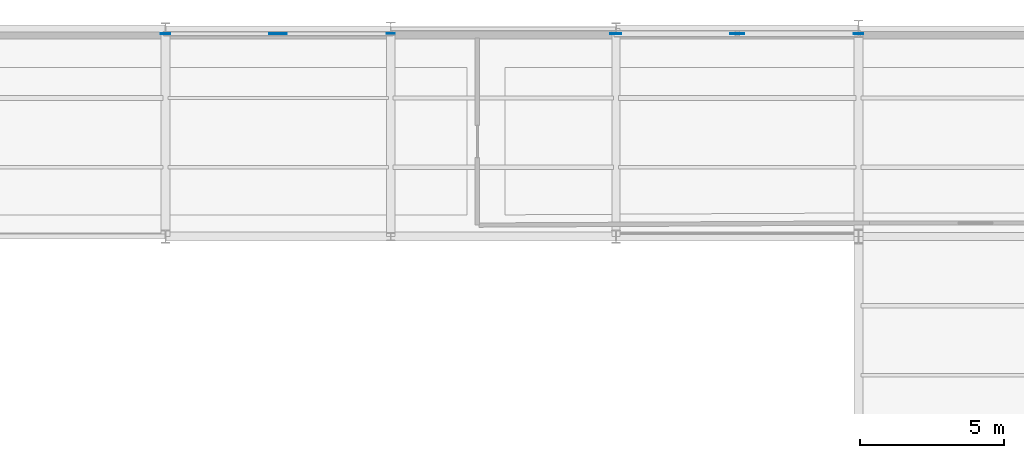
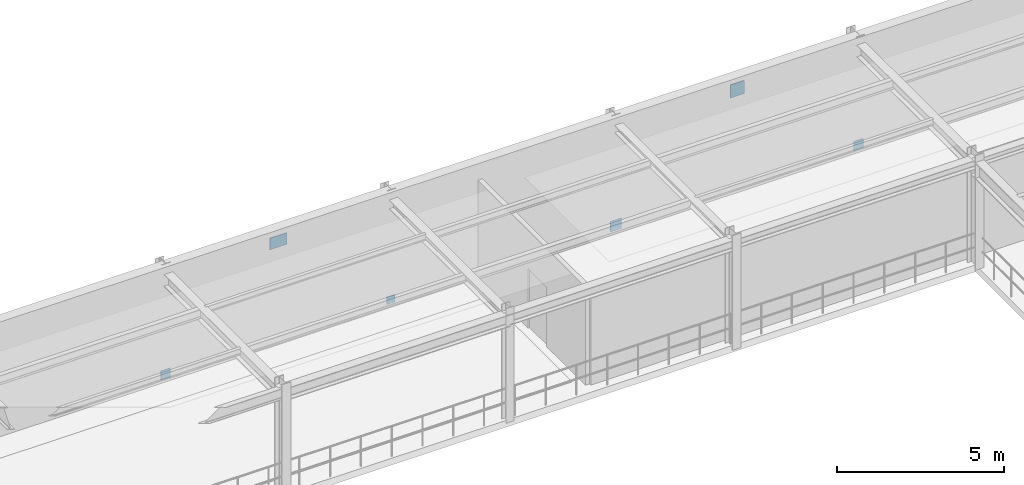
# One storey, part 69 of 90: 6 plates.
"""IFC4 building model written with IfcOpenShell, lengths in metres."""

import ifcopenshell
import ifcopenshell.guid

model = None  # the IFC model being written
_history = None  # IfcOwnerHistory: only IFC2X3 demands one
_inside = {}  # id of a spatial element -> (the spatial element, [elements in it])
_under = {}  # id of a project, library or spatial element -> (it, [spatial elements below it])
_declared = {}  # id of a project -> (the project, [libraries it declares])
_typed = {}  # id of a type object -> (the type object, [elements of that type])
_made_of = {}  # id of a material, layer set ... -> (it, [elements and type objects made of it])


def new_model(schema):
    """Start an empty IFC model of exactly this schema.

    Asked for "IFC4X3", IfcOpenShell would pick the latest addendum, in which some entities
    have other attributes; the version numbers below select the first issue.
    IFC2X3 requires an IfcOwnerHistory on every rooted entity: one is made here for all.
    """
    global model, _history
    if schema == "IFC4X3":
        model = ifcopenshell.file(schema_version=(4, 3, 0, 0))
    else:
        model = ifcopenshell.file(schema=schema)
    _inside.clear()
    _under.clear()
    _declared.clear()
    _typed.clear()
    _made_of.clear()
    _history = None
    if model.schema == "IFC2X3":
        org = make("IfcOrganization", Name="unknown")
        user = make(
            "IfcPersonAndOrganization",
            ThePerson=make("IfcPerson", FamilyName="unknown"),
            TheOrganization=org,
        )
        app = make(
            "IfcApplication",
            ApplicationDeveloper=org,
            Version="unknown",
            ApplicationFullName="unknown",
            ApplicationIdentifier="unknown",
        )
        _history = make(
            "IfcOwnerHistory",
            OwningUser=user,
            OwningApplication=app,
            ChangeAction="ADDED",
            CreationDate=0,
        )
    return model


def make(cls, **values):
    """One entity of the class cls with the attributes given. An attribute that is None is left unset."""
    return model.create_entity(
        cls, **{name: value for name, value in values.items() if value is not None}
    )


def rooted(cls, **values):
    """An entity with a GlobalId (a new one), such as an element, a storey or a relation."""
    return make(cls, GlobalId=ifcopenshell.guid.new(), OwnerHistory=_history, **values)


def si_unit(unit_type, name, prefix=None):
    """IfcSIUnit, for example si_unit("LENGTHUNIT", "METRE", prefix="MILLI")."""
    return make("IfcSIUnit", UnitType=unit_type, Prefix=prefix, Name=name)


def derived_unit(unit_type, elements):
    """IfcDerivedUnit: a product of units, each with its exponent."""
    return make(
        "IfcDerivedUnit",
        Elements=[
            make("IfcDerivedUnitElement", Unit=unit, Exponent=power)
            for unit, power in elements
        ],
        UnitType=unit_type,
    )


def assignment(units):
    """IfcUnitAssignment: the units of a project."""
    return None if units is None else make("IfcUnitAssignment", Units=units)


def point(xyz):
    """IfcCartesianPoint."""
    return None if xyz is None else make("IfcCartesianPoint", Coordinates=xyz)


def direction(xyz):
    """IfcDirection."""
    return None if xyz is None else make("IfcDirection", DirectionRatios=xyz)


def frame(location, z_axis=None, x_axis=None):
    """IfcAxis2Placement3D, a coordinate frame: its origin and axes. An axis left out is left unset."""
    return make(
        "IfcAxis2Placement3D",
        Location=point(location),
        Axis=direction(z_axis),
        RefDirection=direction(x_axis),
    )


def frame_2d(location, x_axis=None):
    """IfcAxis2Placement2D, a coordinate frame in the plane: its origin and x axis."""
    return make(
        "IfcAxis2Placement2D", Location=point(location), RefDirection=direction(x_axis)
    )


def origin():
    """The frame at (0, 0, 0) with its axes left unset."""
    return frame((0.0, 0.0, 0.0))


def origin_2d():
    """The frame at (0, 0) in the plane with its x axis left unset."""
    return frame_2d((0.0, 0.0))


def place(relative_to, where):
    """IfcLocalPlacement: puts the frame where relative to a parent placement (None: the world)."""
    return make(
        "IfcLocalPlacement", PlacementRelTo=relative_to, RelativePlacement=where
    )


def context(
    kind, dimensions, precision=None, world=None, true_north=None, identifier=None
):
    """IfcGeometricRepresentationContext, for example the 3D "Model" context."""
    return make(
        "IfcGeometricRepresentationContext",
        ContextIdentifier=identifier,
        ContextType=kind,
        CoordinateSpaceDimension=dimensions,
        Precision=precision,
        WorldCoordinateSystem=world,
        TrueNorth=true_north,
    )


def subcontext(parent, identifier, kind, view, scale=None):
    """IfcGeometricRepresentationSubContext, for example "Body" below "Model"."""
    return make(
        "IfcGeometricRepresentationSubContext",
        ContextIdentifier=identifier,
        ContextType=kind,
        ParentContext=parent,
        TargetScale=scale,
        TargetView=view,
    )


def project(units=None, contexts=None):
    """IfcProject with its units and contexts."""
    return rooted(
        "IfcProject",
        Name="project",
        RepresentationContexts=contexts,
        UnitsInContext=assignment(units),
    )


def spatial(cls, under=None, at=None, **own):
    """A site, building, storey or space (cls), placed at a placement, below another one or the project."""
    s = rooted(cls, ObjectPlacement=at, **own)
    if under is not None:
        _under.setdefault(under.id(), (under, []))[1].append(s)
    return s


def profile(cls, at=None, kind="AREA", **sizes):
    """A parametric profile (cls). Its sizes go by their IFC names, for example OverallWidth=200.0."""
    return make(cls, ProfileType=kind, Position=at, **sizes)


def rectangle(**sizes):
    """IfcRectangleProfileDef."""
    return profile("IfcRectangleProfileDef", **sizes)


def extrude(swept, where, along, depth):
    """IfcExtrudedAreaSolid: the profile swept, set in the frame where, extruded along a direction by depth."""
    return make(
        "IfcExtrudedAreaSolid",
        SweptArea=swept,
        Position=where,
        ExtrudedDirection=direction(along),
        Depth=depth,
    )


def shape(context_of_items, identifier, shape_type, items):
    """IfcShapeRepresentation: the items that make up one representation, for example the "Body"."""
    return make(
        "IfcShapeRepresentation",
        ContextOfItems=context_of_items,
        RepresentationIdentifier=identifier,
        RepresentationType=shape_type,
        Items=items,
    )


def material(Name=None, Category=None):
    """IfcMaterial."""
    return make("IfcMaterial", Name=Name, Category=Category)


def layer(
    of_material, thickness, ventilated=None, Name=None, Category=None, Priority=None
):
    """IfcMaterialLayer: one layer of a wall or slab, of a material (None: an air gap)."""
    return make(
        "IfcMaterialLayer",
        Material=of_material,
        LayerThickness=thickness,
        IsVentilated=ventilated,
        Name=Name,
        Category=Category,
        Priority=Priority,
    )


def layer_set(layers, Name=None):
    """IfcMaterialLayerSet."""
    return make("IfcMaterialLayerSet", MaterialLayers=layers, LayerSetName=Name)


def made_of(thing, what):
    """Note that an element or type object is made of a material, layer set ...; save() writes the relation."""
    if what is not None:
        _made_of.setdefault(what.id(), (what, []))[1].append(thing)
    return thing


def type_object(cls, material=None, **own):
    """A type object (cls), such as IfcWallType, which elements share."""
    return made_of(rooted(cls, **own), material)


def element(
    cls,
    number,
    at=None,
    inside=None,
    cuts=None,
    type_object=None,
    material=None,
    context=None,
    identifier="Body",
    shape_type=None,
    held_by="IfcProductDefinitionShape",
    body=None,
    shapes=None,
    **own,
):
    """One element of the class cls, such as IfcWall. Its Tag is "e" and its number.

    at: its placement. inside: the storey or other place that contains it. cuts: it is an
    opening in that element (IfcRelVoidsElement). A single representation is given by context,
    identifier, shape_type and body (its items); several are given by shapes. held_by: the class
    of the entity that holds the representations. save() writes the other relations.
    """
    e = rooted(cls, Tag="e%d" % number, ObjectPlacement=at, **own)
    if body is not None:
        shapes = [shape(context, identifier, shape_type, body)]
    if shapes is not None:
        e.Representation = make(held_by, Representations=shapes)
    if inside is not None:
        _inside.setdefault(inside.id(), (inside, []))[1].append(e)
    if cuts is not None:
        rooted(
            "IfcRelVoidsElement", RelatingBuildingElement=cuts, RelatedOpeningElement=e
        )
    if type_object is not None:
        _typed.setdefault(type_object.id(), (type_object, []))[1].append(e)
    return made_of(e, material)


def aggregate(whole, parts):
    """IfcRelAggregates: a whole, such as a stair, and the parts it consists of."""
    return rooted("IfcRelAggregates", RelatingObject=whole, RelatedObjects=parts)


def save(model, path):
    """Write the relations noted so far, then the file.

    IfcRelAggregates (storeys below a building ...), IfcRelContainedInSpatialStructure (elements
    in a storey), IfcRelDefinesByType, IfcRelAssociatesMaterial and IfcRelDeclares: one each for
    every whole, place, type object, material and project.
    """
    for whole, parts in _under.values():
        aggregate(whole, parts)
    for where, things in _inside.values():
        rooted(
            "IfcRelContainedInSpatialStructure",
            RelatedElements=things,
            RelatingStructure=where,
        )
    for kind, things in _typed.values():
        rooted("IfcRelDefinesByType", RelatedObjects=things, RelatingType=kind)
    for what, things in _made_of.values():
        rooted("IfcRelAssociatesMaterial", RelatedObjects=things, RelatingMaterial=what)
    for by, libraries in _declared.values():
        rooted("IfcRelDeclares", RelatingContext=by, RelatedDefinitions=libraries)
    model.write(path)


model = new_model("IFC4")

# Units and contexts
model_context = context("Model", 3, precision=1e-05, world=origin(), true_north=direction((0.0, 1.0)))
body_context = subcontext(model_context, "Body", "Model", "MODEL_VIEW")
ifc_project = project(units=[si_unit("LENGTHUNIT", "METRE"), si_unit("AREAUNIT", "SQUARE_METRE"), si_unit("VOLUMEUNIT", "CUBIC_METRE"), si_unit("PLANEANGLEUNIT", "RADIAN"), si_unit("MASSUNIT", "GRAM", prefix="KILO"), derived_unit("THERMALTRANSMITTANCEUNIT", [(si_unit("POWERUNIT", "WATT"), 1), (si_unit("AREAUNIT", "SQUARE_METRE"), -1), (si_unit("THERMODYNAMICTEMPERATUREUNIT", "KELVIN"), -1)])], contexts=[model_context])

# Site, building, storey
site_placement = place(None, origin())
site = spatial("IfcSite", under=ifc_project, at=site_placement, CompositionType="ELEMENT")
building_placement = place(site_placement, origin())
building = spatial("IfcBuilding", under=site, at=building_placement, Name="Yasenodar Specialist Clinic", CompositionType="ELEMENT")
storey_placement = place(building_placement, frame((0.0, 0.0, 9.0)))
storey = spatial("IfcBuildingStorey", under=building, at=storey_placement, Name="L02", CompositionType="ELEMENT", Elevation=9.0)

# Plates
ifc_material = material(Name="Steel S355", Category="steel")
ifc_layer_1 = layer(ifc_material, 0.02197265625)
ifc_layer_set_1 = layer_set([ifc_layer_1], Name="Steel S355")
plate_type_1 = type_object("IfcPlateType", Name="PL-STEEL-02", PredefinedType="SHEET", material=ifc_layer_set_1)
plate_1_placement = place(storey_placement, frame((96.60009765625, 111.425048828125, -0.0400390625), z_axis=(0.0, 0.0, 1.0), x_axis=(1.0, 0.0, 0.0)))
element("IfcPlate", 1, at=plate_1_placement, inside=storey, type_object=plate_type_1, Name="L02 Hollow Section End-Cap Plate 0037", PredefinedType="SHEET", context=body_context, shape_type="SweptSolid", body=[
    extrude(rectangle(XDim=0.3798828125, YDim=0.02197265625, at=origin_2d()), origin(), (0.0, 0.0, 1.0), 0.3798828125),
])
ifc_layer_2 = layer(ifc_material, 0.02001953125)
ifc_layer_set_2 = layer_set([ifc_layer_2], Name="Steel S355")
plate_type_2 = type_object("IfcPlateType", Name="PL-STEEL-03", PredefinedType="SHEET", material=ifc_layer_set_2)
for number, where, z_axis, x_axis, name in (
    (2, (81.0, 111.425048828125, -0.02001953125), (0.0, 0.0, 1.0), (1.0, 0.0, 0.0), "L02 Hollow Section End-Cap Plate 0016"),
    (3, (105.0, 111.425048828125, -0.02001953125), (0.0, 0.0, 1.0), (1.0, 0.0, 0.0), "L02 Hollow Section End-Cap Plate 0038"),
):
    element("IfcPlate", number, at=place(storey_placement, frame(where, z_axis=z_axis, x_axis=x_axis)), inside=storey, type_object=plate_type_2, Name=name, PredefinedType="SHEET", context=body_context, shape_type="SweptSolid", body=[
        extrude(rectangle(XDim=0.340087890625, YDim=0.02001953125, at=origin_2d()), origin(), (0.0, 0.0, 1.0), 0.340087890625),
    ])
ifc_layer_3 = layer(ifc_material, 0.01806640625)
ifc_layer_set_3 = layer_set([ifc_layer_3], Name="Steel S355")
plate_type_3 = type_object("IfcPlateType", Name="PL-STEEL-04", PredefinedType="SHEET", material=ifc_layer_set_3)
plate_2_placement = place(storey_placement, frame((88.800048828125, 111.425048828125, 0.009765625), z_axis=(0.0, 0.0, 1.0), x_axis=(1.0, 0.0, 0.0)))
element("IfcPlate", 4, at=plate_2_placement, inside=storey, type_object=plate_type_3, Name="L02 Hollow Section End-Cap Plate 0017", PredefinedType="SHEET", context=body_context, shape_type="SweptSolid", body=[
    extrude(rectangle(XDim=0.280029296875, YDim=0.01806640625, at=origin_2d()), origin(), (0.0, 0.0, 1.0), 0.280029296875),
])
ifc_layer_4 = layer(ifc_material, 0.028076171875)
ifc_layer_set_4 = layer_set([ifc_layer_4], Name="Steel S355")
plate_type_4 = type_object("IfcPlateType", Name="PL-STEEL-06", PredefinedType="USERDEFINED", material=ifc_layer_set_4)
plate_3_placement = place(storey_placement, frame((100.800048828125, 111.425048828125, 3.409912109375), z_axis=(0.0, 0.0, 1.0), x_axis=(1.0, 0.0, 0.0)))
element("IfcPlate", 5, at=plate_3_placement, inside=storey, type_object=plate_type_4, Name="L02 Hollow Section End-Cap Plate 0039", ObjectType="CAP_PLATE", PredefinedType="USERDEFINED", context=body_context, shape_type="SweptSolid", body=[
    extrude(rectangle(XDim=0.47998046875, YDim=0.028076171875, at=origin_2d()), origin(), (0.0, 0.0, 1.0), 0.47998046875),
])
ifc_layer_5 = layer(ifc_material, 0.02490234375)
ifc_layer_set_5 = layer_set([ifc_layer_5], Name="Steel S355")
plate_type_5 = type_object("IfcPlateType", Name="PL-STEEL-07", PredefinedType="USERDEFINED", material=ifc_layer_set_5)
plate_4_placement = place(storey_placement, frame((84.89990234375, 111.425048828125, 3.43994140625), z_axis=(0.0, 0.0, 1.0), x_axis=(1.0, 0.0, 0.0)))
element("IfcPlate", 6, at=plate_4_placement, inside=storey, type_object=plate_type_5, Name="L02 Hollow Section End-Cap Plate 0018", ObjectType="GUSSET_PLATE", PredefinedType="USERDEFINED", context=body_context, shape_type="SweptSolid", body=[
    extrude(rectangle(XDim=0.60009765625, YDim=0.02490234375, at=origin_2d()), origin(), (0.0, 0.0, 1.0), 0.419921875),
])

save(model, "model.ifc")
